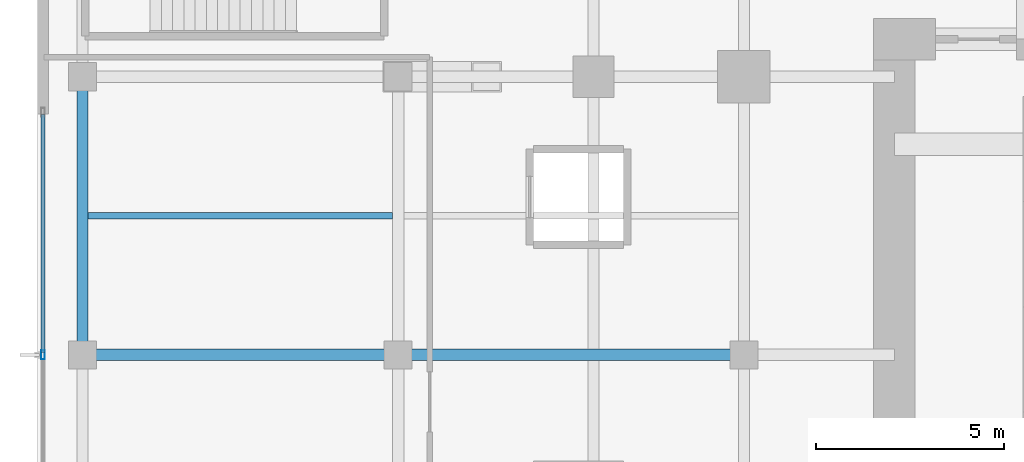
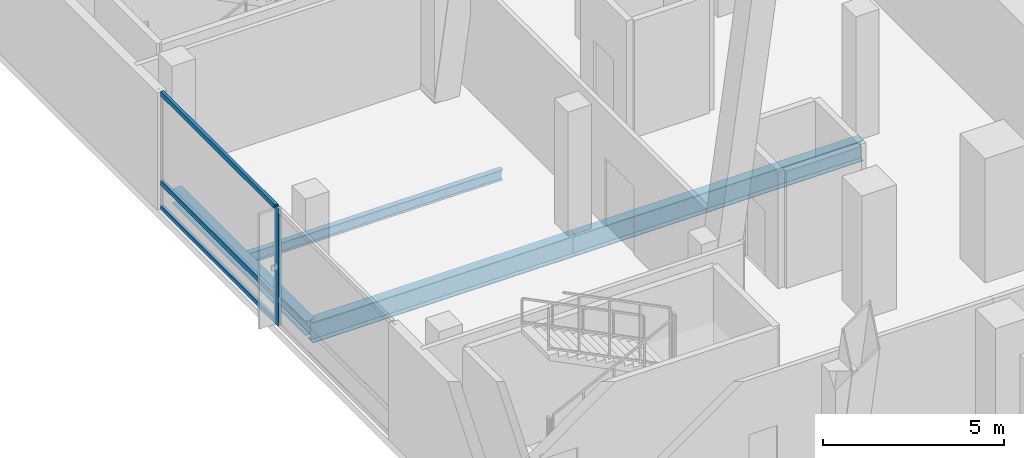
# One storey, part 4 of 23: 4 beams, 4 members, 1 element without a shape of its own.
"""IFC4 building model written with IfcOpenShell, lengths in metres."""

from ifc_helpers import new_model, si_unit, direction, frame, origin, origin_2d, place, context, subcontext, project, spatial, hollow_rectangle, i_section, extrude, material, layer, layer_set, material_profile, profile_set, type_object, element, aggregate, save


model = new_model("IFC4")

# Units and contexts
model_context = context("Model", 3, precision=1e-05, world=origin(), true_north=direction((0.0, 1.0)))
body_context = subcontext(model_context, "Body", "Model", "MODEL_VIEW")
ifc_project = project(units=[si_unit("LENGTHUNIT", "METRE"), si_unit("AREAUNIT", "SQUARE_METRE"), si_unit("VOLUMEUNIT", "CUBIC_METRE"), si_unit("PLANEANGLEUNIT", "RADIAN"), si_unit("MASSUNIT", "GRAM", prefix="KILO")], contexts=[model_context])

# Site, building, storey
site_placement = place(None, origin())
site = spatial("IfcSite", under=ifc_project, at=site_placement, CompositionType="ELEMENT")
building_placement = place(site_placement, origin())
building = spatial("IfcBuilding", under=site, at=building_placement, Name="Khorvyn Point Tower", CompositionType="ELEMENT")
storey_placement = place(building_placement, frame((0.0, 0.0, 9.0)))
storey = spatial("IfcBuildingStorey", under=building, at=storey_placement, Name="L03", CompositionType="ELEMENT", Elevation=9.0)

# Curtain wall, members
ifc_material_1 = material(Name="Anodised aluminium 6063-T6 and laminated Low-E glass", Category="aluminium")
ifc_layer = layer(ifc_material_1, 0.18994140625)
ifc_layer_set = layer_set([ifc_layer], Name="Stick-Built Low-E Podium Curtain Wall CW-SYS-01")
curtain_wall_type = type_object("IfcCurtainWallType", Name="Stick-Built Low-E Podium Curtain Wall CW-SYS-01", PredefinedType="NOTDEFINED", material=ifc_layer_set)
curtain_wall_placement = place(storey_placement, origin())
curtain_wall = element("IfcCurtainWall", 1, at=curtain_wall_placement, inside=storey, type_object=curtain_wall_type, Name="Curtain Wall", PredefinedType="NOTDEFINED")
ifc_material_2 = material(Name="Anodised aluminium 6063-T6", Category="aluminium")
ifc_material_profile_1 = material_profile(ifc_material_2, hollow_rectangle(XDim=0.10009765625, YDim=0.239990234375, WallThickness=0.0048828125, at=origin_2d()))
ifc_profile_set_1 = profile_set([ifc_material_profile_1], Name="Anodised aluminium 6063-T6 ALU-MUL-100x240")
member_type_1 = type_object("IfcMemberType", Name="Anodised Aluminium 6063-T6 Mullion ALU-MUL-100x240", PredefinedType="MULLION", material=ifc_profile_set_1)
member_1_placement = place(storey_placement, frame((-33.449951171875, 0.0, 0.0), z_axis=(0.0, 0.0, 1.0), x_axis=(-1.0, 0.0, 0.0)))
member_1 = element("IfcMember", 2, at=member_1_placement, type_object=member_type_1, Name="Transom", PredefinedType="MULLION", context=body_context, shape_type="SweptSolid", body=[
    extrude(hollow_rectangle(XDim=0.10009765625, YDim=0.239990234375, WallThickness=0.0048828125, at=origin_2d()), origin(), (0.0, 0.0, 1.0), 3.9599609375),
])
ifc_material_profile_2 = material_profile(ifc_material_2, hollow_rectangle(XDim=0.10009765625, YDim=0.159912109375, WallThickness=0.00439453125, at=origin_2d()))
ifc_profile_set_2 = profile_set([ifc_material_profile_2], Name="Anodised aluminium 6063-T6 ALU-TRN-100x160")
member_type_2 = type_object("IfcMemberType", Name="Anodised Aluminium 6063-T6 Transom ALU-TRN-100x160", PredefinedType="USERDEFINED", material=ifc_profile_set_2)
member_2_placement = place(storey_placement, frame((-33.449951171875, 0.050048828125, 0.050048828125), z_axis=(0.0, 1.0, 0.0), x_axis=(-1.0, 0.0, 0.0)))
member_2 = element("IfcMember", 3, at=member_2_placement, type_object=member_type_2, Name="Transom", ObjectType="TRANSOM", PredefinedType="USERDEFINED", context=body_context, shape_type="SweptSolid", body=[
    extrude(hollow_rectangle(XDim=0.10009765625, YDim=0.159912109375, WallThickness=0.00439453125, at=origin_2d()), origin(), (0.0, 0.0, 1.0), 6.349853515625),
])
member_3_placement = place(storey_placement, frame((-33.449951171875, 0.050048828125, 0.89990234375), z_axis=(0.0, 1.0, 0.0), x_axis=(-1.0, 0.0, 0.0)))
member_3 = element("IfcMember", 4, at=member_3_placement, type_object=member_type_2, Name="Transom", ObjectType="TRANSOM", PredefinedType="USERDEFINED", context=body_context, shape_type="SweptSolid", body=[
    extrude(hollow_rectangle(XDim=0.10009765625, YDim=0.159912109375, WallThickness=0.00439453125, at=origin_2d()), origin(), (0.0, 0.0, 1.0), 6.349853515625),
])
member_4_placement = place(storey_placement, frame((-33.449951171875, 0.050048828125, 3.909912109375), z_axis=(0.0, 1.0, 0.0), x_axis=(-1.0, 0.0, 0.0)))
member_4 = element("IfcMember", 5, at=member_4_placement, type_object=member_type_2, Name="Transom", ObjectType="TRANSOM", PredefinedType="USERDEFINED", context=body_context, shape_type="SweptSolid", body=[
    extrude(hollow_rectangle(XDim=0.10009765625, YDim=0.159912109375, WallThickness=0.00439453125, at=origin_2d()), origin(), (0.0, 0.0, 1.0), 6.349853515625),
])
aggregate(curtain_wall, [member_1, member_2, member_3, member_4])

# Beams
ifc_material_3 = material(Name="Steel S355", Category="steel")
ifc_material_profile_3 = material_profile(ifc_material_3, i_section(OverallWidth=0.300048828125, OverallDepth=0.699951171875, WebThickness=0.012939453125, FlangeThickness=0.02392578125, at=origin_2d()))
ifc_profile_set_3 = profile_set([ifc_material_profile_3], Name="Steel S355 H700x300x13x24")
beam_type_1 = type_object("IfcBeamType", Name="Steel S355 Beam H700x300x13x24", PredefinedType="BEAM", material=ifc_profile_set_3)
beam_1_placement = place(storey_placement, frame((-32.39990234375, 0.0, -0.590087890625), z_axis=(1.0, 0.0, 0.0), x_axis=(0.0, 1.0, 0.0)))
element("IfcBeam", 6, at=beam_1_placement, inside=storey, type_object=beam_type_1, Name="Beam", PredefinedType="BEAM", context=body_context, shape_type="SweptSolid", body=[
    extrude(i_section(OverallWidth=0.300048828125, OverallDepth=0.699951171875, WebThickness=0.012939453125, FlangeThickness=0.02392578125, at=origin_2d()), origin(), (0.0, 0.0, 1.0), 8.39990234375),
])
beam_2_placement = place(storey_placement, frame((-24.0, 0.0, -0.590087890625), z_axis=(1.0, 0.0, 0.0), x_axis=(0.0, 1.0, 0.0)))
element("IfcBeam", 7, at=beam_2_placement, inside=storey, type_object=beam_type_1, Name="Beam", PredefinedType="BEAM", context=body_context, shape_type="SweptSolid", body=[
    extrude(i_section(OverallWidth=0.300048828125, OverallDepth=0.699951171875, WebThickness=0.012939453125, FlangeThickness=0.02392578125, at=origin_2d()), origin(), (0.0, 0.0, 1.0), 9.199951171875),
])
ifc_material_profile_4 = material_profile(ifc_material_3, i_section(OverallWidth=0.175048828125, OverallDepth=0.35009765625, WebThickness=0.007080078125, FlangeThickness=0.010986328125, at=origin_2d()))
ifc_profile_set_4 = profile_set([ifc_material_profile_4], Name="Steel S355 H350x175x7x11")
beam_type_2 = type_object("IfcBeamType", Name="Steel S355 Joist H350x175x7x11", PredefinedType="JOIST", material=ifc_profile_set_4)
beam_3_placement = place(storey_placement, frame((-32.25, 3.699951171875, -0.4150390625), z_axis=(1.0, 0.0, 0.0), x_axis=(0.0, 1.0, 0.0)))
element("IfcBeam", 8, at=beam_3_placement, inside=storey, type_object=beam_type_2, Name="Beam", PredefinedType="JOIST", context=body_context, shape_type="SweptSolid", body=[
    extrude(i_section(OverallWidth=0.175048828125, OverallDepth=0.35009765625, WebThickness=0.007080078125, FlangeThickness=0.010986328125, at=origin_2d()), origin(), (0.0, 0.0, 1.0), 8.10009765625),
])
ifc_material_profile_5 = material_profile(ifc_material_3, i_section(OverallWidth=0.300048828125, OverallDepth=0.488037109375, WebThickness=0.010986328125, FlangeThickness=0.01806640625, at=origin_2d()))
ifc_profile_set_5 = profile_set([ifc_material_profile_5], Name="Steel S355 H488x300x11x18")
beam_type_3 = type_object("IfcBeamType", Name="Steel S355 Spandrel H488x300x11x18", PredefinedType="SPANDREL", material=ifc_profile_set_5)
beam_4_placement = place(storey_placement, frame((-32.39990234375, 0.0, -0.48388671875), z_axis=(0.0, 1.0, 0.0), x_axis=(-1.0, 0.0, 0.0)))
element("IfcBeam", 9, at=beam_4_placement, inside=storey, type_object=beam_type_3, Name="Beam", PredefinedType="SPANDREL", context=body_context, shape_type="SweptSolid", body=[
    extrude(i_section(OverallWidth=0.300048828125, OverallDepth=0.488037109375, WebThickness=0.010986328125, FlangeThickness=0.01806640625, at=origin_2d()), origin(), (0.0, 0.0, 1.0), 7.39990234375),
])

save(model, "model.ifc")
